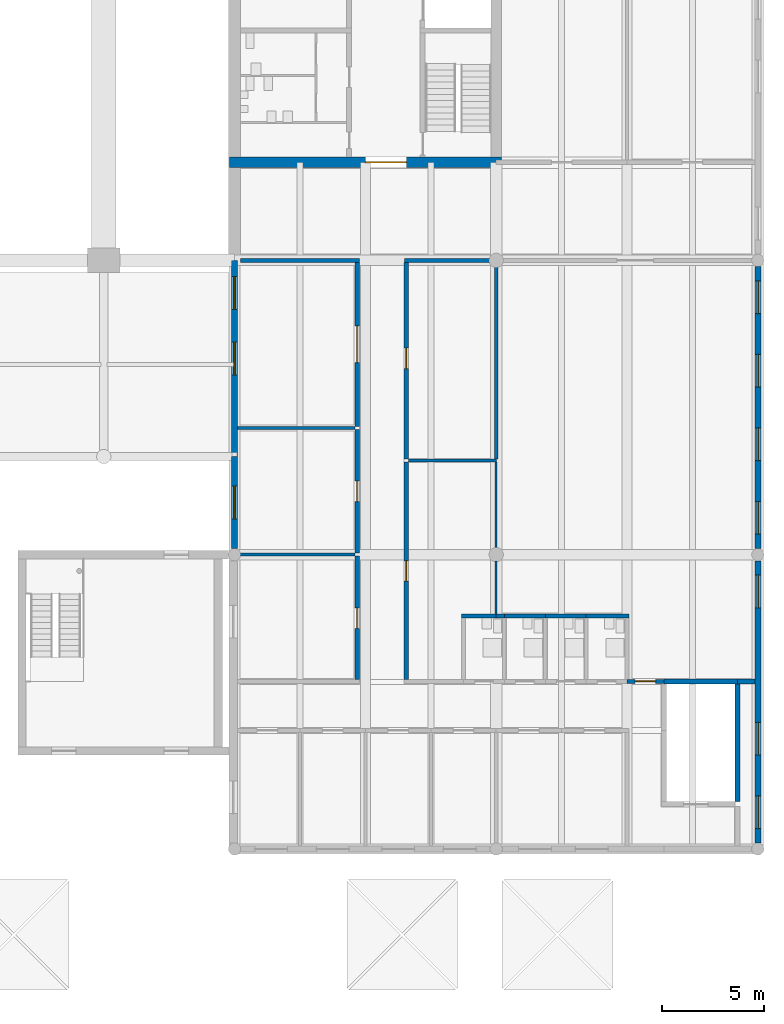
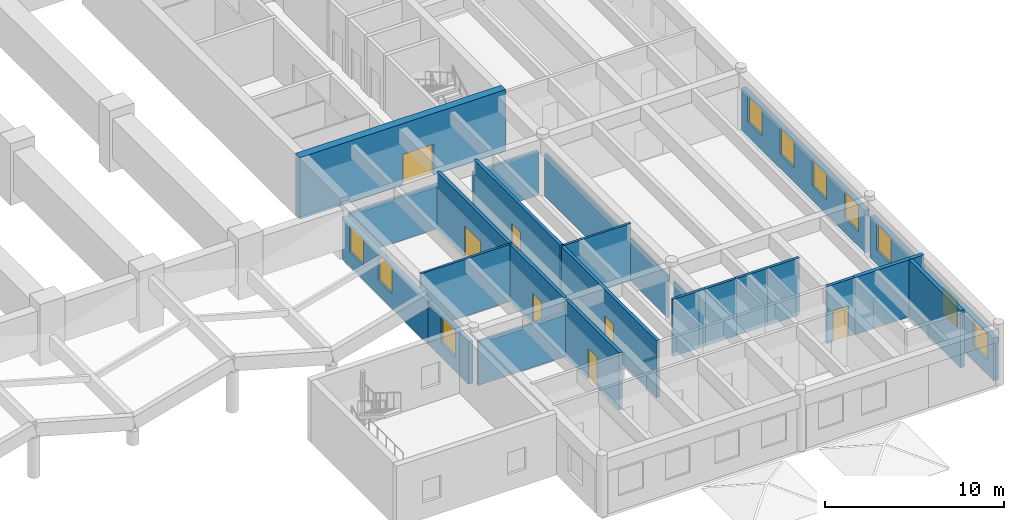
# One storey, part 11 of 19: 27 walls, 10 windows, 7 doors, 17 openings.
"""IFC4 building model written with IfcOpenShell, lengths in metres."""

from ifc_helpers import new_model, si_unit, direction, frame, frame_2d, origin, place, context, subcontext, project, spatial, rectangle, extrude, material, layer, layer_set, type_object, element, fill, save


model = new_model("IFC4")

# Units and contexts
model_context = context("Model", 3, precision=1e-05, world=origin(), true_north=direction((0.0, 1.0)))
body_context = subcontext(model_context, "Body", "Model", "MODEL_VIEW")
ifc_project = project(units=[si_unit("LENGTHUNIT", "METRE"), si_unit("AREAUNIT", "SQUARE_METRE"), si_unit("VOLUMEUNIT", "CUBIC_METRE"), si_unit("PLANEANGLEUNIT", "RADIAN"), si_unit("MASSUNIT", "GRAM", prefix="KILO")], contexts=[model_context])

# Site, building, storey
site_placement = place(None, origin())
site = spatial("IfcSite", under=ifc_project, at=site_placement, CompositionType="ELEMENT")
building_placement = place(site_placement, origin())
building = spatial("IfcBuilding", under=site, at=building_placement, Name="Fogon Plaza Fire Station and Headquarters Tower", CompositionType="ELEMENT")
storey_placement = place(building_placement, frame((0.0, 0.0, 4.199951171875)))
storey = spatial("IfcBuildingStorey", under=building, at=storey_placement, Name="L01", CompositionType="ELEMENT", Elevation=4.199951171875)

# Walls
ifc_material_1 = material(Name="Acoustic Gypsum Partition")
ifc_layer_1 = layer(ifc_material_1, 0.14990234375)
ifc_layer_set_1 = layer_set([ifc_layer_1], Name="Acoustic Gypsum Partition")
wall_type_1 = type_object("IfcWallType", Name="Acoustic Partition 150", PredefinedType="PARTITIONING", material=ifc_layer_set_1)
wall_1_placement = place(storey_placement, frame((76.81005859375, 19.0, 0.0), z_axis=(0.0, 0.0, 1.0), x_axis=(-1.0, 0.0, 0.0)))
element("IfcWall", 1, at=wall_1_placement, inside=storey, type_object=wall_type_1, Name="wall-L01-E-023", PredefinedType="PARTITIONING", context=body_context, shape_type="SweptSolid", body=[
    extrude(rectangle(XDim=4.31005859375, YDim=0.14990234375, at=frame_2d((2.155029296875, 0.0))), origin(), (0.0, 0.0, 1.0), 3.900146484375),
])
wall_2_placement = place(storey_placement, frame((69.89990234375, 20.60009765625, 0.0), z_axis=(0.0, 0.0, 1.0), x_axis=(-1.0, 0.0, 0.0)))
element("IfcWall", 2, at=wall_2_placement, inside=storey, type_object=wall_type_1, Name="wall-L01-E-024", PredefinedType="PARTITIONING", context=body_context, shape_type="SweptSolid", body=[
    extrude(rectangle(XDim=5.75, YDim=0.14990234375, at=frame_2d((2.875, 0.0))), origin(), (0.0, 0.0, 1.0), 3.900146484375),
])
ifc_material_2 = material(Name="Acoustic Gypsum Partition")
ifc_layer_2 = layer(ifc_material_2, 0.14990234375)
ifc_layer_set_2 = layer_set([ifc_layer_2], Name="Acoustic Gypsum Partition")
wall_type_2 = type_object("IfcWallType", Name="Acoustic Partition 150 Beam Head 1000", PredefinedType="PARTITIONING", material=ifc_layer_set_2)
wall_3_placement = place(storey_placement, frame((76.800048828125, 19.074951171875, 0.0), z_axis=(0.0, 0.0, 1.0), x_axis=(0.0, 1.0, 0.0)))
element("IfcWall", 3, at=wall_3_placement, inside=storey, type_object=wall_type_2, Name="wall-L01-E-054", PredefinedType="PARTITIONING", context=body_context, shape_type="SweptSolid", body=[
    extrude(rectangle(XDim=9.405029296875, YDim=0.14990234375, at=frame_2d((4.70263671875, 0.0))), origin(), (0.0, 0.0, 1.0), 2.900146484375),
])
ifc_material_3 = material(Name="Acoustic Gypsum Partition")
ifc_layer_3 = layer(ifc_material_3, 0.14990234375)
ifc_layer_set_3 = layer_set([ifc_layer_3], Name="Acoustic Gypsum Partition")
wall_type_3 = type_object("IfcWallType", Name="Acoustic Partition 150 Beam Head 900", PredefinedType="PARTITIONING", material=ifc_layer_set_3)
wall_4_placement = place(storey_placement, frame((69.89990234375, 14.39990234375, 0.0), z_axis=(0.0, 0.0, 1.0), x_axis=(-1.0, 0.0, 0.0)))
element("IfcWall", 4, at=wall_4_placement, inside=storey, type_object=wall_type_3, Name="wall-L01-E-022", PredefinedType="PARTITIONING", context=body_context, shape_type="SweptSolid", body=[
    extrude(rectangle(XDim=5.6298828125, YDim=0.14990234375, at=frame_2d((2.81494140625, 0.0))), origin(), (0.0, 0.0, 1.0), 3.0),
])

# Wall, openings, windows
ifc_material_4 = material(Name="Concrete C40", Category="concrete")
ifc_layer_4 = layer(ifc_material_4, 0.300048828125)
ifc_layer_set_4 = layer_set([ifc_layer_4], Name="Concrete C40")
wall_type_4 = type_object("IfcWallType", Name="Board-marked RC Infill Wall 300 Beam Head 100", PredefinedType="SOLIDWALL", material=ifc_layer_set_4)
wall_5_placement = place(storey_placement, frame((89.60009765625, 0.300048828125, 0.0), z_axis=(0.0, 0.0, 1.0), x_axis=(0.0, 1.0, 0.0)))
wall_5 = element("IfcWall", 5, at=wall_5_placement, inside=storey, type_object=wall_type_4, Name="Exterior wall EE L01", PredefinedType="SOLIDWALL", context=body_context, shape_type="SweptSolid", body=[
    extrude(rectangle(XDim=13.800048828125, YDim=0.300048828125, at=frame_2d((6.89990234375, 0.0))), origin(), (0.0, 0.0, 1.0), 2.900146484375),
])
opening_1_placement = place(wall_5_placement, frame((0.699951171875, 0.0, 1.0)))
opening_1 = element("IfcOpeningElement", 6, at=opening_1_placement, cuts=wall_5, Name="Opening W1", PredefinedType="OPENING", context=body_context, shape_type="SweptSolid", body=[
    extrude(rectangle(XDim=1.60009765625, YDim=1.800048828125, at=frame_2d((0.800048828125, 0.89990234375))), frame((0.0, 0.159912109375, 0.0), z_axis=(0.0, -1.0, 0.0), x_axis=(1.0, 0.0, 0.0)), (0.0, 0.0, 1.0), 0.320068359375),
])
opening_2_placement = place(wall_5_placement, frame((4.300048828125, 0.0, 1.0)))
opening_2 = element("IfcOpeningElement", 7, at=opening_2_placement, cuts=wall_5, Name="Opening W1", PredefinedType="OPENING", context=body_context, shape_type="SweptSolid", body=[
    extrude(rectangle(XDim=1.60009765625, YDim=1.800048828125, at=frame_2d((0.800048828125, 0.89990234375))), frame((0.0, 0.159912109375, 0.0), z_axis=(0.0, -1.0, 0.0), x_axis=(1.0, 0.0, 0.0)), (0.0, 0.0, 1.0), 0.320068359375),
])
opening_3_placement = place(wall_5_placement, frame((11.5, 0.0, 1.0)))
opening_3 = element("IfcOpeningElement", 8, at=opening_3_placement, cuts=wall_5, Name="Opening W1", PredefinedType="OPENING", context=body_context, shape_type="SweptSolid", body=[
    extrude(rectangle(XDim=1.60009765625, YDim=1.800048828125, at=frame_2d((0.800048828125, 0.89990234375))), frame((0.0, 0.159912109375, 0.0), z_axis=(0.0, -1.0, 0.0), x_axis=(1.0, 0.0, 0.0)), (0.0, 0.0, 1.0), 0.320068359375),
])
ifc_material_5 = material(Name="Aluminium framed double glazing", Category="aluminium")
window_type = type_object("IfcWindowType", Name="Window W1 1600x1800", PartitioningType="SINGLE_PANEL", PredefinedType="WINDOW", material=ifc_material_5)
window_1_placement = place(opening_1_placement, origin())
window_1 = element("IfcWindow", 9, at=window_1_placement, inside=storey, type_object=window_type, Name="Window W1 E L01", OverallHeight=1.800048828125, OverallWidth=1.60009765625, PartitioningType="SINGLE_PANEL", PredefinedType="WINDOW", context=body_context, shape_type="SweptSolid", body=[
    extrude(rectangle(XDim=1.60009765625, YDim=1.800048828125, at=frame_2d((0.800048828125, 0.89990234375))), frame((0.0, 0.030029296875, 0.0), z_axis=(0.0, -1.0, 0.0), x_axis=(1.0, 0.0, 0.0)), (0.0, 0.0, 1.0), 0.06005859375),
])
fill(opening_1, window_1)
window_2_placement = place(opening_2_placement, origin())
window_2 = element("IfcWindow", 10, at=window_2_placement, inside=storey, type_object=window_type, Name="Window W1 E L01", OverallHeight=1.800048828125, OverallWidth=1.60009765625, PartitioningType="SINGLE_PANEL", PredefinedType="WINDOW", context=body_context, shape_type="SweptSolid", body=[
    extrude(rectangle(XDim=1.60009765625, YDim=1.800048828125, at=frame_2d((0.800048828125, 0.89990234375))), frame((0.0, 0.030029296875, 0.0), z_axis=(0.0, -1.0, 0.0), x_axis=(1.0, 0.0, 0.0)), (0.0, 0.0, 1.0), 0.06005859375),
])
fill(opening_2, window_2)
window_3_placement = place(opening_3_placement, origin())
window_3 = element("IfcWindow", 11, at=window_3_placement, inside=storey, type_object=window_type, Name="Window W1 E L01", OverallHeight=1.800048828125, OverallWidth=1.60009765625, PartitioningType="SINGLE_PANEL", PredefinedType="WINDOW", context=body_context, shape_type="SweptSolid", body=[
    extrude(rectangle(XDim=1.60009765625, YDim=1.800048828125, at=frame_2d((0.800048828125, 0.89990234375))), frame((0.0, 0.030029296875, 0.0), z_axis=(0.0, -1.0, 0.0), x_axis=(1.0, 0.0, 0.0)), (0.0, 0.0, 1.0), 0.06005859375),
])
fill(opening_3, window_3)

wall_6_placement = place(storey_placement, frame((89.60009765625, 14.699951171875, 0.0), z_axis=(0.0, 0.0, 1.0), x_axis=(0.0, 1.0, 0.0)))
wall_6 = element("IfcWall", 12, at=wall_6_placement, inside=storey, type_object=wall_type_4, Name="Exterior wall EE L01", PredefinedType="SOLIDWALL", context=body_context, shape_type="SweptSolid", body=[
    extrude(rectangle(XDim=13.800048828125, YDim=0.300048828125, at=frame_2d((6.89990234375, 0.0))), origin(), (0.0, 0.0, 1.0), 2.900146484375),
])
opening_4_placement = place(wall_6_placement, frame((0.699951171875, 0.0, 1.0)))
opening_4 = element("IfcOpeningElement", 13, at=opening_4_placement, cuts=wall_6, Name="Opening W1", PredefinedType="OPENING", context=body_context, shape_type="SweptSolid", body=[
    extrude(rectangle(XDim=1.60009765625, YDim=1.800048828125, at=frame_2d((0.800048828125, 0.89990234375))), frame((0.0, 0.159912109375, 0.0), z_axis=(0.0, -1.0, 0.0), x_axis=(1.0, 0.0, 0.0)), (0.0, 0.0, 1.0), 0.320068359375),
])
opening_5_placement = place(wall_6_placement, frame((4.300048828125, 0.0, 1.0)))
opening_5 = element("IfcOpeningElement", 14, at=opening_5_placement, cuts=wall_6, Name="Opening W1", PredefinedType="OPENING", context=body_context, shape_type="SweptSolid", body=[
    extrude(rectangle(XDim=1.60009765625, YDim=1.800048828125, at=frame_2d((0.800048828125, 0.89990234375))), frame((0.0, 0.159912109375, 0.0), z_axis=(0.0, -1.0, 0.0), x_axis=(1.0, 0.0, 0.0)), (0.0, 0.0, 1.0), 0.320068359375),
])
opening_6_placement = place(wall_6_placement, frame((7.89990234375, 0.0, 1.0)))
opening_6 = element("IfcOpeningElement", 15, at=opening_6_placement, cuts=wall_6, Name="Opening W1", PredefinedType="OPENING", context=body_context, shape_type="SweptSolid", body=[
    extrude(rectangle(XDim=1.60009765625, YDim=1.800048828125, at=frame_2d((0.800048828125, 0.89990234375))), frame((0.0, 0.159912109375, 0.0), z_axis=(0.0, -1.0, 0.0), x_axis=(1.0, 0.0, 0.0)), (0.0, 0.0, 1.0), 0.320068359375),
])
opening_7_placement = place(wall_6_placement, frame((11.5, 0.0, 1.0)))
opening_7 = element("IfcOpeningElement", 16, at=opening_7_placement, cuts=wall_6, Name="Opening W1", PredefinedType="OPENING", context=body_context, shape_type="SweptSolid", body=[
    extrude(rectangle(XDim=1.60009765625, YDim=1.800048828125, at=frame_2d((0.800048828125, 0.89990234375))), frame((0.0, 0.159912109375, 0.0), z_axis=(0.0, -1.0, 0.0), x_axis=(1.0, 0.0, 0.0)), (0.0, 0.0, 1.0), 0.320068359375),
])
window_4_placement = place(opening_4_placement, origin())
window_4 = element("IfcWindow", 17, at=window_4_placement, inside=storey, type_object=window_type, Name="Window W1 E L01", OverallHeight=1.800048828125, OverallWidth=1.60009765625, PartitioningType="SINGLE_PANEL", PredefinedType="WINDOW", context=body_context, shape_type="SweptSolid", body=[
    extrude(rectangle(XDim=1.60009765625, YDim=1.800048828125, at=frame_2d((0.800048828125, 0.89990234375))), frame((0.0, 0.030029296875, 0.0), z_axis=(0.0, -1.0, 0.0), x_axis=(1.0, 0.0, 0.0)), (0.0, 0.0, 1.0), 0.06005859375),
])
fill(opening_4, window_4)
window_5_placement = place(opening_5_placement, origin())
window_5 = element("IfcWindow", 18, at=window_5_placement, inside=storey, type_object=window_type, Name="Window W1 E L01", OverallHeight=1.800048828125, OverallWidth=1.60009765625, PartitioningType="SINGLE_PANEL", PredefinedType="WINDOW", context=body_context, shape_type="SweptSolid", body=[
    extrude(rectangle(XDim=1.60009765625, YDim=1.800048828125, at=frame_2d((0.800048828125, 0.89990234375))), frame((0.0, 0.030029296875, 0.0), z_axis=(0.0, -1.0, 0.0), x_axis=(1.0, 0.0, 0.0)), (0.0, 0.0, 1.0), 0.06005859375),
])
fill(opening_5, window_5)
window_6_placement = place(opening_6_placement, origin())
window_6 = element("IfcWindow", 19, at=window_6_placement, inside=storey, type_object=window_type, Name="Window W1 E L01", OverallHeight=1.800048828125, OverallWidth=1.60009765625, PartitioningType="SINGLE_PANEL", PredefinedType="WINDOW", context=body_context, shape_type="SweptSolid", body=[
    extrude(rectangle(XDim=1.60009765625, YDim=1.800048828125, at=frame_2d((0.800048828125, 0.89990234375))), frame((0.0, 0.030029296875, 0.0), z_axis=(0.0, -1.0, 0.0), x_axis=(1.0, 0.0, 0.0)), (0.0, 0.0, 1.0), 0.06005859375),
])
fill(opening_6, window_6)
window_7_placement = place(opening_7_placement, origin())
window_7 = element("IfcWindow", 20, at=window_7_placement, inside=storey, type_object=window_type, Name="Window W1 E L01", OverallHeight=1.800048828125, OverallWidth=1.60009765625, PartitioningType="SINGLE_PANEL", PredefinedType="WINDOW", context=body_context, shape_type="SweptSolid", body=[
    extrude(rectangle(XDim=1.60009765625, YDim=1.800048828125, at=frame_2d((0.800048828125, 0.89990234375))), frame((0.0, 0.030029296875, 0.0), z_axis=(0.0, -1.0, 0.0), x_axis=(1.0, 0.0, 0.0)), (0.0, 0.0, 1.0), 0.06005859375),
])
fill(opening_7, window_7)

# Wall, opening, window
wall_7_placement = place(storey_placement, frame((64.0, 14.699951171875, 0.0), z_axis=(0.0, 0.0, 1.0), x_axis=(0.0, 1.0, 0.0)))
wall_7 = element("IfcWall", 21, at=wall_7_placement, inside=storey, type_object=wall_type_4, Name="Exterior wall EW L01", PredefinedType="SOLIDWALL", context=body_context, shape_type="SweptSolid", body=[
    extrude(rectangle(XDim=4.5, YDim=0.300048828125, at=frame_2d((2.25, 0.0))), origin(), (0.0, 0.0, 1.0), 2.900146484375),
])
opening_8_placement = place(wall_7_placement, frame((1.449951171875, 0.0, 1.0)))
opening_8 = element("IfcOpeningElement", 22, at=opening_8_placement, cuts=wall_7, Name="Opening W1", PredefinedType="OPENING", context=body_context, shape_type="SweptSolid", body=[
    extrude(rectangle(XDim=1.60009765625, YDim=1.800048828125, at=frame_2d((0.800048828125, 0.89990234375))), frame((0.0, 0.159912109375, 0.0), z_axis=(0.0, -1.0, 0.0), x_axis=(1.0, 0.0, 0.0)), (0.0, 0.0, 1.0), 0.320068359375),
])
window_8_placement = place(opening_8_placement, origin())
window_8 = element("IfcWindow", 23, at=window_8_placement, inside=storey, type_object=window_type, Name="Window W1 W L01", OverallHeight=1.800048828125, OverallWidth=1.60009765625, PartitioningType="SINGLE_PANEL", PredefinedType="WINDOW", context=body_context, shape_type="SweptSolid", body=[
    extrude(rectangle(XDim=1.60009765625, YDim=1.800048828125, at=frame_2d((0.800048828125, 0.89990234375))), frame((0.0, 0.030029296875, 0.0), z_axis=(0.0, -1.0, 0.0), x_axis=(1.0, 0.0, 0.0)), (0.0, 0.0, 1.0), 0.06005859375),
])
fill(opening_8, window_8)

# Wall, openings, windows
wall_8_placement = place(storey_placement, frame((64.0, 19.199951171875, 0.0), z_axis=(0.0, 0.0, 1.0), x_axis=(0.0, 1.0, 0.0)))
wall_8 = element("IfcWall", 24, at=wall_8_placement, inside=storey, type_object=wall_type_4, Name="Exterior wall EW L01", PredefinedType="SOLIDWALL", context=body_context, shape_type="SweptSolid", body=[
    extrude(rectangle(XDim=9.60009765625, YDim=0.300048828125, at=frame_2d((4.800048828125, 0.0))), origin(), (0.0, 0.0, 1.0), 2.900146484375),
])
opening_9_placement = place(wall_8_placement, frame((4.0, 0.0, 1.0)))
opening_9 = element("IfcOpeningElement", 25, at=opening_9_placement, cuts=wall_8, Name="Opening W1", PredefinedType="OPENING", context=body_context, shape_type="SweptSolid", body=[
    extrude(rectangle(XDim=1.60009765625, YDim=1.800048828125, at=frame_2d((0.800048828125, 0.89990234375))), frame((0.0, 0.159912109375, 0.0), z_axis=(0.0, -1.0, 0.0), x_axis=(1.0, 0.0, 0.0)), (0.0, 0.0, 1.0), 0.320068359375),
])
opening_10_placement = place(wall_8_placement, frame((7.199951171875, 0.0, 1.0)))
opening_10 = element("IfcOpeningElement", 26, at=opening_10_placement, cuts=wall_8, Name="Opening W1", PredefinedType="OPENING", context=body_context, shape_type="SweptSolid", body=[
    extrude(rectangle(XDim=1.60009765625, YDim=1.800048828125, at=frame_2d((0.800048828125, 0.89990234375))), frame((0.0, 0.159912109375, 0.0), z_axis=(0.0, -1.0, 0.0), x_axis=(1.0, 0.0, 0.0)), (0.0, 0.0, 1.0), 0.320068359375),
])
window_9_placement = place(opening_9_placement, origin())
window_9 = element("IfcWindow", 27, at=window_9_placement, inside=storey, type_object=window_type, Name="Window W1 W L01", OverallHeight=1.800048828125, OverallWidth=1.60009765625, PartitioningType="SINGLE_PANEL", PredefinedType="WINDOW", context=body_context, shape_type="SweptSolid", body=[
    extrude(rectangle(XDim=1.60009765625, YDim=1.800048828125, at=frame_2d((0.800048828125, 0.89990234375))), frame((0.0, 0.030029296875, 0.0), z_axis=(0.0, -1.0, 0.0), x_axis=(1.0, 0.0, 0.0)), (0.0, 0.0, 1.0), 0.06005859375),
])
fill(opening_9, window_9)
window_10_placement = place(opening_10_placement, origin())
window_10 = element("IfcWindow", 28, at=window_10_placement, inside=storey, type_object=window_type, Name="Window W1 W L01", OverallHeight=1.800048828125, OverallWidth=1.60009765625, PartitioningType="SINGLE_PANEL", PredefinedType="WINDOW", context=body_context, shape_type="SweptSolid", body=[
    extrude(rectangle(XDim=1.60009765625, YDim=1.800048828125, at=frame_2d((0.800048828125, 0.89990234375))), frame((0.0, 0.030029296875, 0.0), z_axis=(0.0, -1.0, 0.0), x_axis=(1.0, 0.0, 0.0)), (0.0, 0.0, 1.0), 0.06005859375),
])
fill(opening_10, window_10)

# Wall, opening, door
ifc_material_6 = material(Name="Gypsum Board Fire Partition")
ifc_layer_5 = layer(ifc_material_6, 0.199951171875)
ifc_layer_set_5 = layer_set([ifc_layer_5], Name="Gypsum Board Fire Partition")
wall_type_5 = type_object("IfcWallType", Name="Corridor Wall EI 60", PredefinedType="PARTITIONING", material=ifc_layer_set_5)
wall_9_placement = place(storey_placement, frame((85.0, 8.199951171875, 0.0), z_axis=(0.0, 0.0, 1.0), x_axis=(-1.0, 0.0, 0.0)))
wall_9 = element("IfcWall", 29, at=wall_9_placement, inside=storey, type_object=wall_type_5, Name="wall-L01-E-010", PredefinedType="PARTITIONING", context=body_context, shape_type="SweptSolid", body=[
    extrude(rectangle(XDim=1.800048828125, YDim=0.199951171875, at=frame_2d((0.89990234375, 0.0))), origin(), (0.0, 0.0, 1.0), 3.900146484375),
])
opening_11_placement = place(wall_9_placement, frame((0.39990234375, 0.0, 0.0)))
opening_11 = element("IfcOpeningElement", 30, at=opening_11_placement, cuts=wall_9, Name="Opening L01-D73", PredefinedType="OPENING", context=body_context, shape_type="SweptSolid", body=[
    extrude(rectangle(XDim=1.0, YDim=2.10009765625, at=frame_2d((0.5, 1.050048828125))), frame((0.0, 0.10986328125, 0.0), z_axis=(0.0, -1.0, 0.0), x_axis=(1.0, 0.0, 0.0)), (0.0, 0.0, 1.0), 0.219970703125),
])
ifc_material_7 = material(Name="Steel Fire Door Leaf", Category="steel")
door_type_1 = type_object("IfcDoorType", Name="Corridor Door EI 20 1000x2100", OperationType="SINGLE_SWING_LEFT", PredefinedType="DOOR", material=ifc_material_7)
door_1_placement = place(opening_11_placement, origin())
door_1 = element("IfcDoor", 31, at=door_1_placement, inside=storey, type_object=door_type_1, Name="door-L01-E-15", OperationType="SINGLE_SWING_LEFT", OverallHeight=2.10009765625, OverallWidth=1.0, PredefinedType="DOOR", context=body_context, shape_type="SweptSolid", body=[
    extrude(rectangle(XDim=1.0, YDim=2.10009765625, at=frame_2d((0.5, 1.050048828125))), frame((0.0, 0.02490234375, 0.0), z_axis=(0.0, -1.0, 0.0), x_axis=(1.0, 0.0, 0.0)), (0.0, 0.0, 1.0), 0.050048828125),
])
fill(opening_11, door_1)

wall_10_placement = place(storey_placement, frame((72.39990234375, 8.300048828125, 0.0), z_axis=(0.0, 0.0, 1.0), x_axis=(0.0, 1.0, 0.0)))
wall_10 = element("IfcWall", 32, at=wall_10_placement, inside=storey, type_object=wall_type_5, Name="wall-L01-E-057", PredefinedType="PARTITIONING", context=body_context, shape_type="SweptSolid", body=[
    extrude(rectangle(XDim=10.625, YDim=0.199951171875, at=frame_2d((5.3125, 0.0))), origin(), (0.0, 0.0, 1.0), 3.900146484375),
])
opening_12_placement = place(wall_10_placement, frame((4.800048828125, 0.0, 0.0)))
opening_12 = element("IfcOpeningElement", 33, at=opening_12_placement, cuts=wall_10, Name="Opening L01-D75", PredefinedType="OPENING", context=body_context, shape_type="SweptSolid", body=[
    extrude(rectangle(XDim=1.0, YDim=2.10009765625, at=frame_2d((0.5, 1.050048828125))), frame((0.0, 0.10986328125, 0.0), z_axis=(0.0, -1.0, 0.0), x_axis=(1.0, 0.0, 0.0)), (0.0, 0.0, 1.0), 0.219970703125),
])
door_2_placement = place(opening_12_placement, frame((1.0, 0.0, 0.0), z_axis=(0.0, 0.0, 1.0), x_axis=(-1.0, 0.0, 0.0)))
door_2 = element("IfcDoor", 34, at=door_2_placement, inside=storey, type_object=door_type_1, Name="door-L01-E-17", OperationType="SINGLE_SWING_LEFT", OverallHeight=2.10009765625, OverallWidth=1.0, PredefinedType="DOOR", context=body_context, shape_type="SweptSolid", body=[
    extrude(rectangle(XDim=1.0, YDim=2.10009765625, at=frame_2d((0.5, 1.050048828125))), frame((0.0, 0.02490234375, 0.0), z_axis=(0.0, -1.0, 0.0), x_axis=(1.0, 0.0, 0.0)), (0.0, 0.0, 1.0), 0.050048828125),
])
fill(opening_12, door_2)

wall_11_placement = place(storey_placement, frame((72.39990234375, 19.074951171875, 0.0), z_axis=(0.0, 0.0, 1.0), x_axis=(0.0, 1.0, 0.0)))
wall_11 = element("IfcWall", 35, at=wall_11_placement, inside=storey, type_object=wall_type_5, Name="wall-L01-E-058", PredefinedType="PARTITIONING", context=body_context, shape_type="SweptSolid", body=[
    extrude(rectangle(XDim=9.625, YDim=0.199951171875, at=frame_2d((4.8125, 0.0))), origin(), (0.0, 0.0, 1.0), 3.900146484375),
])
opening_13_placement = place(wall_11_placement, frame((4.425048828125, 0.0, 0.0)))
opening_13 = element("IfcOpeningElement", 36, at=opening_13_placement, cuts=wall_11, Name="Opening L01-D76", PredefinedType="OPENING", context=body_context, shape_type="SweptSolid", body=[
    extrude(rectangle(XDim=1.0, YDim=2.10009765625, at=frame_2d((0.5, 1.050048828125))), frame((0.0, 0.10986328125, 0.0), z_axis=(0.0, -1.0, 0.0), x_axis=(1.0, 0.0, 0.0)), (0.0, 0.0, 1.0), 0.219970703125),
])
door_3_placement = place(opening_13_placement, frame((1.0, 0.0, 0.0), z_axis=(0.0, 0.0, 1.0), x_axis=(-1.0, 0.0, 0.0)))
door_3 = element("IfcDoor", 37, at=door_3_placement, inside=storey, type_object=door_type_1, Name="door-L01-E-18", OperationType="SINGLE_SWING_LEFT", OverallHeight=2.10009765625, OverallWidth=1.0, PredefinedType="DOOR", context=body_context, shape_type="SweptSolid", body=[
    extrude(rectangle(XDim=1.0, YDim=2.10009765625, at=frame_2d((0.5, 1.050048828125))), frame((0.0, 0.02490234375, 0.0), z_axis=(0.0, -1.0, 0.0), x_axis=(1.0, 0.0, 0.0)), (0.0, 0.0, 1.0), 0.050048828125),
])
fill(opening_13, door_3)

wall_12_placement = place(storey_placement, frame((70.0, 8.300048828125, 0.0), z_axis=(0.0, 0.0, 1.0), x_axis=(0.0, 1.0, 0.0)))
wall_12 = element("IfcWall", 38, at=wall_12_placement, inside=storey, type_object=wall_type_5, Name="wall-L01-E-060", PredefinedType="PARTITIONING", context=body_context, shape_type="SweptSolid", body=[
    extrude(rectangle(XDim=6.02490234375, YDim=0.199951171875, at=frame_2d((3.012451171875, 0.0))), origin(), (0.0, 0.0, 1.0), 3.900146484375),
])
opening_14_placement = place(wall_12_placement, frame((2.5, 0.0, 0.0)))
opening_14 = element("IfcOpeningElement", 39, at=opening_14_placement, cuts=wall_12, Name="Opening L01-D70", PredefinedType="OPENING", context=body_context, shape_type="SweptSolid", body=[
    extrude(rectangle(XDim=1.0, YDim=2.10009765625, at=frame_2d((0.5, 1.050048828125))), frame((0.0, 0.10986328125, 0.0), z_axis=(0.0, -1.0, 0.0), x_axis=(1.0, 0.0, 0.0)), (0.0, 0.0, 1.0), 0.219970703125),
])
door_4_placement = place(opening_14_placement, origin())
door_4 = element("IfcDoor", 40, at=door_4_placement, inside=storey, type_object=door_type_1, Name="door-L01-E-12", OperationType="SINGLE_SWING_RIGHT", OverallHeight=2.10009765625, OverallWidth=1.0, PredefinedType="DOOR", context=body_context, shape_type="SweptSolid", body=[
    extrude(rectangle(XDim=1.0, YDim=2.10009765625, at=frame_2d((0.5, 1.050048828125))), frame((0.0, 0.02490234375, 0.0), z_axis=(0.0, -1.0, 0.0), x_axis=(1.0, 0.0, 0.0)), (0.0, 0.0, 1.0), 0.050048828125),
])
fill(opening_14, door_4)

wall_13_placement = place(storey_placement, frame((70.0, 14.47509765625, 0.0), z_axis=(0.0, 0.0, 1.0), x_axis=(0.0, 1.0, 0.0)))
wall_13 = element("IfcWall", 41, at=wall_13_placement, inside=storey, type_object=wall_type_5, Name="wall-L01-E-061", PredefinedType="PARTITIONING", context=body_context, shape_type="SweptSolid", body=[
    extrude(rectangle(XDim=6.0498046875, YDim=0.199951171875, at=frame_2d((3.02490234375, 0.0))), origin(), (0.0, 0.0, 1.0), 3.900146484375),
])
opening_15_placement = place(wall_13_placement, frame((2.52490234375, 0.0, 0.0)))
opening_15 = element("IfcOpeningElement", 42, at=opening_15_placement, cuts=wall_13, Name="Opening L01-D71", PredefinedType="OPENING", context=body_context, shape_type="SweptSolid", body=[
    extrude(rectangle(XDim=1.0, YDim=2.10009765625, at=frame_2d((0.5, 1.050048828125))), frame((0.0, 0.10986328125, 0.0), z_axis=(0.0, -1.0, 0.0), x_axis=(1.0, 0.0, 0.0)), (0.0, 0.0, 1.0), 0.219970703125),
])
door_5_placement = place(opening_15_placement, origin())
door_5 = element("IfcDoor", 43, at=door_5_placement, inside=storey, type_object=door_type_1, Name="door-L01-E-13", OperationType="SINGLE_SWING_LEFT", OverallHeight=2.10009765625, OverallWidth=1.0, PredefinedType="DOOR", context=body_context, shape_type="SweptSolid", body=[
    extrude(rectangle(XDim=1.0, YDim=2.10009765625, at=frame_2d((0.5, 1.050048828125))), frame((0.0, 0.02490234375, 0.0), z_axis=(0.0, -1.0, 0.0), x_axis=(1.0, 0.0, 0.0)), (0.0, 0.0, 1.0), 0.050048828125),
])
fill(opening_15, door_5)

wall_14_placement = place(storey_placement, frame((70.0, 20.675048828125, 0.0), z_axis=(0.0, 0.0, 1.0), x_axis=(0.0, 1.0, 0.0)))
wall_14 = element("IfcWall", 44, at=wall_14_placement, inside=storey, type_object=wall_type_5, Name="wall-L01-E-062", PredefinedType="PARTITIONING", context=body_context, shape_type="SweptSolid", body=[
    extrude(rectangle(XDim=8.02490234375, YDim=0.199951171875, at=frame_2d((4.012451171875, 0.0))), origin(), (0.0, 0.0, 1.0), 3.900146484375),
])
opening_16_placement = place(wall_14_placement, frame((3.125, 0.0, 0.0)))
opening_16 = element("IfcOpeningElement", 45, at=opening_16_placement, cuts=wall_14, Name="Opening L01-D72", PredefinedType="OPENING", context=body_context, shape_type="SweptSolid", body=[
    extrude(rectangle(XDim=1.800048828125, YDim=2.10009765625, at=frame_2d((0.89990234375, 1.050048828125))), frame((0.0, 0.10986328125, 0.0), z_axis=(0.0, -1.0, 0.0), x_axis=(1.0, 0.0, 0.0)), (0.0, 0.0, 1.0), 0.219970703125),
])
ifc_material_8 = material(Name="Steel Fire Door Leaf", Category="steel")
door_type_2 = type_object("IfcDoorType", Name="Corridor Door Double EI 20 1800x2100", OperationType="SINGLE_SWING_LEFT", PredefinedType="DOOR", material=ifc_material_8)
door_6_placement = place(opening_16_placement, origin())
door_6 = element("IfcDoor", 46, at=door_6_placement, inside=storey, type_object=door_type_2, Name="door-L01-E-14", OperationType="DOUBLE_DOOR_SINGLE_SWING", OverallHeight=2.10009765625, OverallWidth=1.800048828125, PredefinedType="DOOR", context=body_context, shape_type="SweptSolid", body=[
    extrude(rectangle(XDim=1.800048828125, YDim=2.10009765625, at=frame_2d((0.89990234375, 1.050048828125))), frame((0.0, 0.02490234375, 0.0), z_axis=(0.0, -1.0, 0.0), x_axis=(1.0, 0.0, 0.0)), (0.0, 0.0, 1.0), 0.050048828125),
])
fill(opening_16, door_6)

# Walls
ifc_material_9 = material(Name="Gypsum Board Fire Partition")
ifc_layer_6 = layer(ifc_material_9, 0.199951171875)
ifc_layer_set_6 = layer_set([ifc_layer_6], Name="Gypsum Board Fire Partition")
wall_type_6 = type_object("IfcWallType", Name="Corridor Wall EI 60 Beam Head 900", PredefinedType="PARTITIONING", material=ifc_layer_set_6)
wall_15_placement = place(storey_placement, frame((76.47998046875, 28.800048828125, 0.0), z_axis=(0.0, 0.0, 1.0), x_axis=(-1.0, 0.0, 0.0)))
element("IfcWall", 47, at=wall_15_placement, inside=storey, type_object=wall_type_6, Name="wall-L01-E-026", PredefinedType="PARTITIONING", context=body_context, shape_type="SweptSolid", body=[
    extrude(rectangle(XDim=4.179931640625, YDim=0.199951171875, at=frame_2d((2.08984375, 0.0))), origin(), (0.0, 0.0, 1.0), 3.0),
])
wall_16_placement = place(storey_placement, frame((70.10009765625, 28.800048828125, 0.0), z_axis=(0.0, 0.0, 1.0), x_axis=(-1.0, 0.0, 0.0)))
element("IfcWall", 48, at=wall_16_placement, inside=storey, type_object=wall_type_6, Name="wall-L01-E-027", PredefinedType="PARTITIONING", context=body_context, shape_type="SweptSolid", body=[
    extrude(rectangle(XDim=5.81005859375, YDim=0.199951171875, at=frame_2d((2.905029296875, 0.0))), origin(), (0.0, 0.0, 1.0), 3.0),
])
ifc_material_10 = material(Name="Gypsum Board Partition")
ifc_layer_7 = layer(ifc_material_10, 0.10009765625)
ifc_layer_set_7 = layer_set([ifc_layer_7], Name="Gypsum Board Partition")
wall_type_7 = type_object("IfcWallType", Name="Partition Gypsum 100 Beam Head 1000", PredefinedType="PARTITIONING", material=ifc_layer_set_7)
wall_17_placement = place(storey_placement, frame((76.800048828125, 11.487548828125, 0.0), z_axis=(0.0, 0.0, 1.0), x_axis=(0.0, 1.0, 0.0)))
element("IfcWall", 49, at=wall_17_placement, inside=storey, type_object=wall_type_7, Name="wall-L01-E-052", PredefinedType="PARTITIONING", context=body_context, shape_type="SweptSolid", body=[
    extrude(rectangle(XDim=2.592529296875, YDim=0.10009765625, at=frame_2d((1.29638671875, 0.0))), origin(), (0.0, 0.0, 1.0), 2.900146484375),
])
wall_18_placement = place(storey_placement, frame((76.800048828125, 14.719970703125, 0.0), z_axis=(0.0, 0.0, 1.0), x_axis=(0.0, 1.0, 0.0)))
element("IfcWall", 50, at=wall_18_placement, inside=storey, type_object=wall_type_7, Name="wall-L01-E-053", PredefinedType="PARTITIONING", context=body_context, shape_type="SweptSolid", body=[
    extrude(rectangle(XDim=4.205078125, YDim=0.10009765625, at=frame_2d((2.1025390625, 0.0))), origin(), (0.0, 0.0, 1.0), 2.900146484375),
])

# Wall, opening, door
ifc_material_11 = material(Name="Concrete C40", Category="concrete")
ifc_layer_8 = layer(ifc_material_11, 0.5)
ifc_layer_set_8 = layer_set([ifc_layer_8], Name="Concrete C40")
wall_type_8 = type_object("IfcWallType", Name="Shear wall 500 SW50", PredefinedType="SHEAR", material=ifc_layer_set_8)
wall_19_placement = place(storey_placement, frame((63.75, 33.60009765625, 0.0), z_axis=(0.0, 0.0, 1.0), x_axis=(1.0, 0.0, 0.0)))
wall_19 = element("IfcWall", 51, at=wall_19_placement, inside=storey, type_object=wall_type_8, Name="wall-coreB-S-L01", PredefinedType="SHEAR", context=body_context, shape_type="SweptSolid", body=[
    extrude(rectangle(XDim=13.300048828125, YDim=0.5, at=frame_2d((6.64990234375, 0.0))), origin(), (0.0, 0.0, 1.0), 4.199951171875),
])
opening_17_placement = place(wall_19_placement, frame((6.64990234375, 0.0, 0.0)))
opening_17 = element("IfcOpeningElement", 52, at=opening_17_placement, cuts=wall_19, Name="Opening L01-D29", PredefinedType="OPENING", context=body_context, shape_type="SweptSolid", body=[
    extrude(rectangle(XDim=2.0, YDim=2.10009765625, at=frame_2d((1.0, 1.050048828125))), frame((0.0, 0.260009765625, 0.0), z_axis=(0.0, -1.0, 0.0), x_axis=(1.0, 0.0, 0.0)), (0.0, 0.0, 1.0), 0.52001953125),
])
ifc_material_12 = material(Name="Steel Fire Door Leaf", Category="steel")
door_type_3 = type_object("IfcDoorType", Name="Core Lobby Double 2000x2100", OperationType="DOUBLE_DOOR_SINGLE_SWING", PredefinedType="DOOR", material=ifc_material_12)
door_7_placement = place(opening_17_placement, origin())
door_7 = element("IfcDoor", 53, at=door_7_placement, inside=storey, type_object=door_type_3, Name="Core B lobby door S", OperationType="DOUBLE_DOOR_SINGLE_SWING", OverallHeight=2.10009765625, OverallWidth=2.0, PredefinedType="DOOR", context=body_context, shape_type="SweptSolid", body=[
    extrude(rectangle(XDim=2.0, YDim=2.10009765625, at=frame_2d((1.0, 1.050048828125))), frame((0.0, 0.02490234375, 0.0), z_axis=(0.0, -1.0, 0.0), x_axis=(1.0, 0.0, 0.0)), (0.0, 0.0, 1.0), 0.050048828125),
])
fill(opening_17, door_7)

# Walls
ifc_material_13 = material(Name="Concrete C40", Category="concrete")
ifc_layer_9 = layer(ifc_material_13, 0.25)
ifc_layer_set_9 = layer_set([ifc_layer_9], Name="Concrete C40")
wall_type_9 = type_object("IfcWallType", Name="Stair Shaft Wall RC 250", PredefinedType="SHEAR", material=ifc_layer_set_9)
wall_20_placement = place(storey_placement, frame((88.60009765625, 8.199951171875, 0.0), z_axis=(0.0, 0.0, 1.0), x_axis=(-1.0, 0.0, 0.0)))
element("IfcWall", 54, at=wall_20_placement, inside=storey, type_object=wall_type_9, Name="wall-L01-E-009", PredefinedType="SHEAR", context=body_context, shape_type="SweptSolid", body=[
    extrude(rectangle(XDim=3.60009765625, YDim=0.25, at=frame_2d((1.800048828125, 0.0))), origin(), (0.0, 0.0, 1.0), 3.900146484375),
])
wall_21_placement = place(storey_placement, frame((88.60009765625, 2.324951171875, 0.0), z_axis=(0.0, 0.0, 1.0), x_axis=(0.0, 1.0, 0.0)))
element("IfcWall", 55, at=wall_21_placement, inside=storey, type_object=wall_type_9, Name="wall-L01-E-037", PredefinedType="SHEAR", context=body_context, shape_type="SweptSolid", body=[
    extrude(rectangle(XDim=5.75, YDim=0.25, at=frame_2d((2.875, 0.0))), origin(), (0.0, 0.0, 1.0), 3.900146484375),
])
ifc_material_14 = material(Name="Concrete Block Fire Wall", Category="concrete")
ifc_layer_10 = layer(ifc_material_14, 0.25)
ifc_layer_set_10 = layer_set([ifc_layer_10], Name="Concrete Block Fire Wall")
wall_type_10 = type_object("IfcWallType", Name="Stair and Shaft Wall EI 120", PredefinedType="PARTITIONING", material=ifc_layer_set_10)
wall_22_placement = place(storey_placement, frame((89.449951171875, 8.199951171875, 0.0), z_axis=(0.0, 0.0, 1.0), x_axis=(-1.0, 0.0, 0.0)))
element("IfcWall", 56, at=wall_22_placement, inside=storey, type_object=wall_type_10, Name="wall-L01-E-008", PredefinedType="PARTITIONING", context=body_context, shape_type="SweptSolid", body=[
    extrude(rectangle(XDim=0.849853515625, YDim=0.25, at=frame_2d((0.4248046875, 0.0))), origin(), (0.0, 0.0, 1.0), 3.900146484375),
])
ifc_material_15 = material(Name="Tiled Concrete Block Wall", Category="concrete")
ifc_layer_11 = layer(ifc_material_15, 0.175048828125)
ifc_layer_set_11 = layer_set([ifc_layer_11], Name="Tiled Concrete Block Wall")
wall_type_11 = type_object("IfcWallType", Name="Wet Area Block Wall 175", PredefinedType="PARTITIONING", material=ifc_layer_set_11)
wall_23_placement = place(storey_placement, frame((83.28759765625, 11.39990234375, 0.0), z_axis=(0.0, 0.0, 1.0), x_axis=(-1.0, 0.0, 0.0)))
element("IfcWall", 57, at=wall_23_placement, inside=storey, type_object=wall_type_11, Name="wall-L01-E-017", PredefinedType="PARTITIONING", context=body_context, shape_type="SweptSolid", body=[
    extrude(rectangle(XDim=2.087646484375, YDim=0.175048828125, at=frame_2d((1.0439453125, 0.0))), origin(), (0.0, 0.0, 1.0), 3.900146484375),
])
for number, where, z_axis, x_axis, name in (
    (58, (81.199951171875, 11.39990234375, 0.0), (0.0, 0.0, 1.0), (-1.0, 0.0, 0.0), "wall-L01-E-018"),
    (59, (79.199951171875, 11.39990234375, 0.0), (0.0, 0.0, 1.0), (-1.0, 0.0, 0.0), "wall-L01-E-019"),
):
    element("IfcWall", number, at=place(storey_placement, frame(where, z_axis=z_axis, x_axis=x_axis)), inside=storey, type_object=wall_type_11, Name=name, PredefinedType="PARTITIONING", context=body_context, shape_type="SweptSolid", body=[
        extrude(rectangle(XDim=2.0, YDim=0.175048828125, at=frame_2d((1.0, 0.0))), origin(), (0.0, 0.0, 1.0), 3.900146484375),
    ])
wall_24_placement = place(storey_placement, frame((77.199951171875, 11.39990234375, 0.0), z_axis=(0.0, 0.0, 1.0), x_axis=(-1.0, 0.0, 0.0)))
element("IfcWall", 60, at=wall_24_placement, inside=storey, type_object=wall_type_11, Name="wall-L01-E-020", PredefinedType="PARTITIONING", context=body_context, shape_type="SweptSolid", body=[
    extrude(rectangle(XDim=0.39990234375, YDim=0.175048828125, at=frame_2d((0.199951171875, 0.0))), origin(), (0.0, 0.0, 1.0), 3.900146484375),
])
wall_25_placement = place(storey_placement, frame((76.800048828125, 11.39990234375, 0.0), z_axis=(0.0, 0.0, 1.0), x_axis=(-1.0, 0.0, 0.0)))
element("IfcWall", 61, at=wall_25_placement, inside=storey, type_object=wall_type_11, Name="wall-L01-E-021", PredefinedType="PARTITIONING", context=body_context, shape_type="SweptSolid", body=[
    extrude(rectangle(XDim=1.6875, YDim=0.175048828125, at=frame_2d((0.84375, 0.0))), origin(), (0.0, 0.0, 1.0), 3.900146484375),
])

save(model, "model.ifc")
